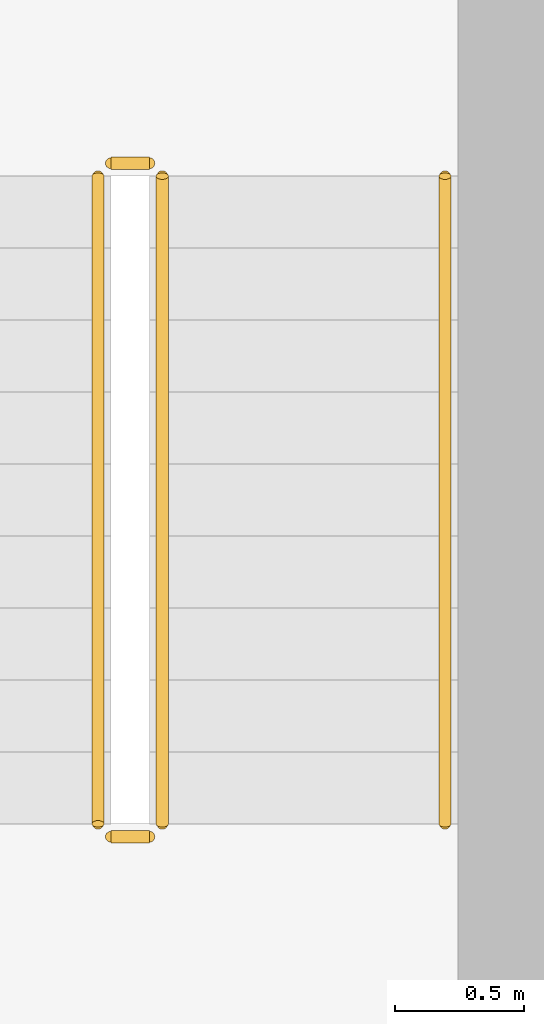
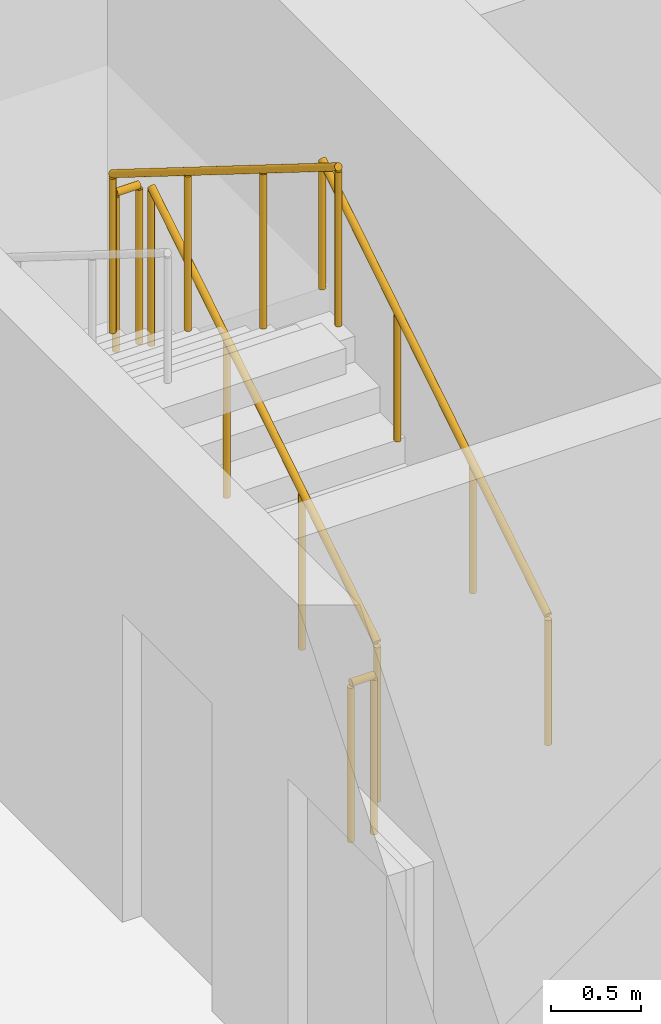
# One storey, part 10 of 10: 5 railings.
"""IFC4 building model written with IfcOpenShell, lengths in metres."""

from ifc_helpers import new_model, si_unit, direction, frame, origin, origin_2d, place, context, subcontext, project, spatial, circle, extrude, material, type_object, element, save


model = new_model("IFC4")

# Units and contexts
model_context = context("Model", 3, precision=1e-05, world=origin(), true_north=direction((0.0, 1.0)))
body_context = subcontext(model_context, "Body", "Model", "MODEL_VIEW")
ifc_project = project(units=[si_unit("LENGTHUNIT", "METRE"), si_unit("AREAUNIT", "SQUARE_METRE"), si_unit("VOLUMEUNIT", "CUBIC_METRE"), si_unit("PLANEANGLEUNIT", "RADIAN"), si_unit("MASSUNIT", "GRAM", prefix="KILO")], contexts=[model_context])

# Site, building, storey
site_placement = place(None, origin())
site = spatial("IfcSite", under=ifc_project, at=site_placement, CompositionType="ELEMENT")
building_placement = place(site_placement, origin())
building = spatial("IfcBuilding", under=site, at=building_placement, Name="Aloe Facet Convention Tower", CompositionType="ELEMENT")
storey_placement = place(building_placement, frame((0.0, 0.0, 85.300048828125)))
storey = spatial("IfcBuildingStorey", under=building, at=storey_placement, Name="L20", CompositionType="ELEMENT", Elevation=85.300048828125)

# Railings
ifc_material_1 = material(Name="Steel S355 balustrade", Category="steel")
railing_type_1 = type_object("IfcRailingType", Name="CR-RL-GUARD", PredefinedType="GUARDRAIL", material=ifc_material_1)
railing_1_placement = place(storey_placement, frame((89.25, 128.949951171875, 0.175048828125)))
element("IfcRailing", 1, at=railing_1_placement, inside=storey, type_object=railing_type_1, Name="L20 ST2 stair guard 1", PredefinedType="GUARDRAIL", context=body_context, shape_type="SweptSolid", body=[
    extrude(circle(Radius=0.02392578125, at=origin_2d()), frame((0.0, 0.0, 1.076171875), z_axis=(0.0, 0.848007534815, 0.529984170421), x_axis=(-1.0, 0.0, 0.0)), (0.0, 0.0, 1.0), 2.9716796875),
    extrude(circle(Radius=0.02099609375, at=origin_2d()), origin(), (0.0, 0.0, 1.0), 1.052001953125),
    extrude(circle(Radius=0.02099609375, at=origin_2d()), frame((0.0, 0.840087890625, 0.52490234375)), (0.0, 0.0, 1.0), 1.052001953125),
    extrude(circle(Radius=0.02099609375, at=origin_2d()), frame((0.0, 1.679931640625, 1.050048828125)), (0.0, 0.0, 1.0), 1.052001953125),
    extrude(circle(Radius=0.02099609375, at=origin_2d()), frame((0.0, 2.52001953125, 1.574951171875)), (0.0, 0.0, 1.0), 1.052001953125),
])
railing_2_placement = place(storey_placement, frame((89.199951171875, 131.52001953125, 1.75)))
element("IfcRailing", 2, at=railing_2_placement, inside=storey, type_object=railing_type_1, Name="L20 ST2 stair guard 2", PredefinedType="GUARDRAIL", context=body_context, shape_type="SweptSolid", body=[
    extrude(circle(Radius=0.02392578125, at=origin_2d()), frame((0.0, 0.0, 1.076171875), z_axis=(-1.0, 0.0, 0.0), x_axis=(0.0, -1.0, 0.0)), (0.0, 0.0, 1.0), 0.14990234375),
    extrude(circle(Radius=0.02099609375, at=origin_2d()), origin(), (0.0, 0.0, 1.0), 1.052001953125),
    extrude(circle(Radius=0.02099609375, at=origin_2d()), frame((-0.14990234375, 0.0, 0.0)), (0.0, 0.0, 1.0), 1.052001953125),
])
railing_3_placement = place(storey_placement, frame((89.0, 131.469970703125, 1.925048828125)))
element("IfcRailing", 3, at=railing_3_placement, inside=storey, type_object=railing_type_1, Name="L20 ST2 stair guard 3", PredefinedType="GUARDRAIL", context=body_context, shape_type="SweptSolid", body=[
    extrude(circle(Radius=0.02392578125, at=origin_2d()), frame((0.0, 0.0, 1.076171875), z_axis=(0.0, -0.848007534815, 0.529984170421), x_axis=(1.0, 0.0, 0.0)), (0.0, 0.0, 1.0), 2.9716796875),
    extrude(circle(Radius=0.02099609375, at=origin_2d()), origin(), (0.0, 0.0, 1.0), 1.052001953125),
    extrude(circle(Radius=0.02099609375, at=origin_2d()), frame((0.0, -0.840087890625, 0.52490234375)), (0.0, 0.0, 1.0), 1.052001953125),
    extrude(circle(Radius=0.02099609375, at=origin_2d()), frame((0.0, -1.679931640625, 1.050048828125)), (0.0, 0.0, 1.0), 1.052001953125),
    extrude(circle(Radius=0.02099609375, at=origin_2d()), frame((0.0, -2.52001953125, 1.574951171875)), (0.0, 0.0, 1.0), 1.052001953125),
])
railing_4_placement = place(storey_placement, frame((89.199951171875, 128.89990234375, 0.0)))
element("IfcRailing", 4, at=railing_4_placement, inside=storey, type_object=railing_type_1, Name="L20 ST2 stair guard 4", PredefinedType="GUARDRAIL", context=body_context, shape_type="SweptSolid", body=[
    extrude(circle(Radius=0.02392578125, at=origin_2d()), frame((0.0, 0.0, 1.076171875), z_axis=(-1.0, 0.0, 0.0), x_axis=(0.0, -1.0, 0.0)), (0.0, 0.0, 1.0), 0.14990234375),
    extrude(circle(Radius=0.02099609375, at=origin_2d()), origin(), (0.0, 0.0, 1.0), 1.052001953125),
    extrude(circle(Radius=0.02099609375, at=origin_2d()), frame((-0.14990234375, 0.0, 0.0)), (0.0, 0.0, 1.0), 1.052001953125),
])
ifc_material_2 = material(Name="Steel S355 handrail", Category="steel")
railing_type_2 = type_object("IfcRailingType", Name="CR-RL-HAND", PredefinedType="HANDRAIL", material=ifc_material_2)
railing_5_placement = place(storey_placement, frame((90.35009765625, 128.949951171875, 0.175048828125)))
element("IfcRailing", 5, at=railing_5_placement, inside=storey, type_object=railing_type_2, Name="L20 ST2 stair handrail 1", PredefinedType="HANDRAIL", context=body_context, shape_type="SweptSolid", body=[
    extrude(circle(Radius=0.02392578125, at=origin_2d()), frame((0.0, 0.0, 0.8759765625), z_axis=(0.0, 0.848007534815, 0.529984170421), x_axis=(-1.0, 0.0, 0.0)), (0.0, 0.0, 1.0), 2.9716796875),
    extrude(circle(Radius=0.02099609375, at=origin_2d()), origin(), (0.0, 0.0, 1.0), 0.851806640625),
    extrude(circle(Radius=0.02099609375, at=origin_2d()), frame((0.0, 0.840087890625, 0.52490234375)), (0.0, 0.0, 1.0), 0.851806640625),
    extrude(circle(Radius=0.02099609375, at=origin_2d()), frame((0.0, 1.679931640625, 1.050048828125)), (0.0, 0.0, 1.0), 0.851806640625),
    extrude(circle(Radius=0.02099609375, at=origin_2d()), frame((0.0, 2.52001953125, 1.574951171875)), (0.0, 0.0, 1.0), 0.851806640625),
])

save(model, "model.ifc")
